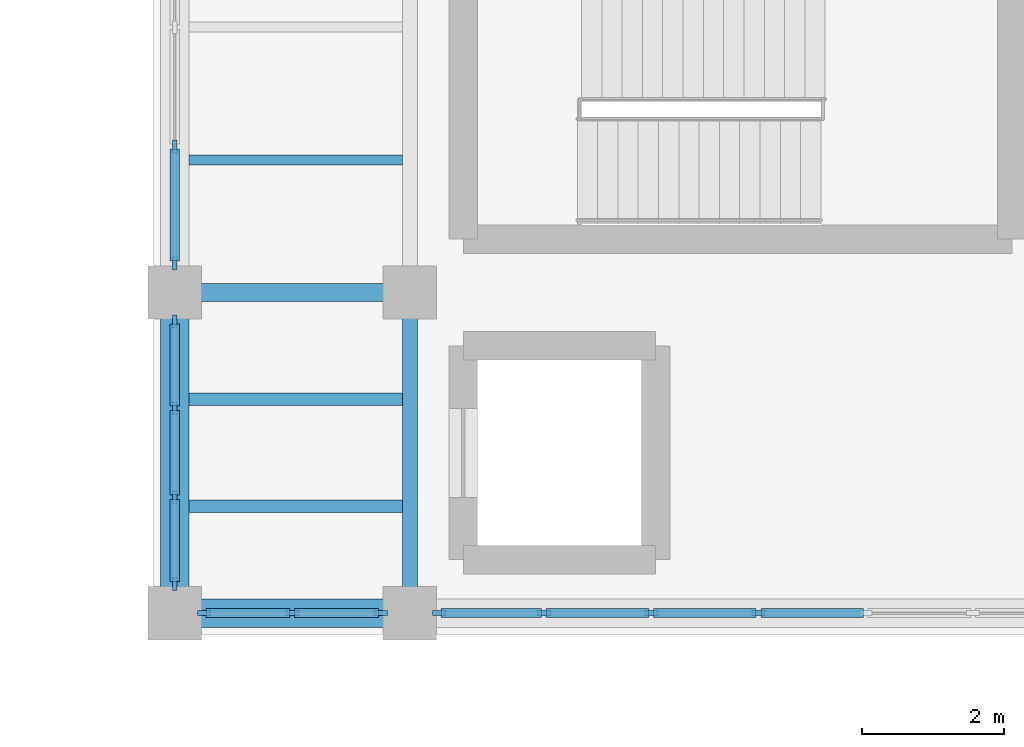
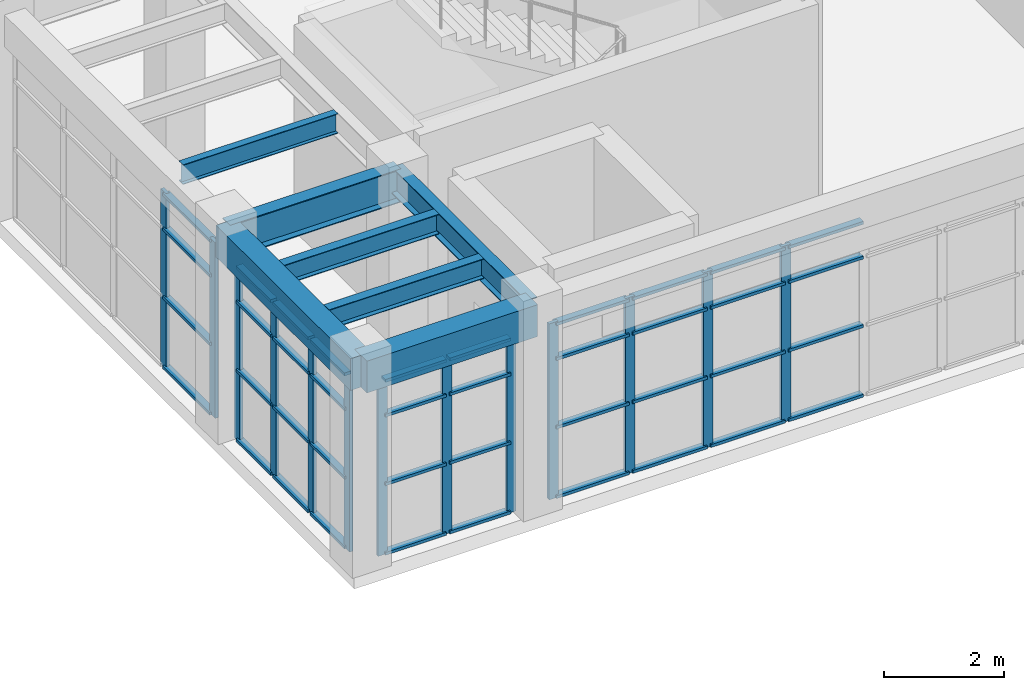
# One storey, part 33 of 85: 53 members, 7 beams, 4 elements without a shape of their own.
"""IFC4 building model written with IfcOpenShell, lengths in metres."""

from ifc_helpers import new_model, si_unit, direction, frame, origin, origin_2d, place, context, subcontext, project, spatial, rectangle, i_section, extrude, material, layer, layer_set, material_profile, profile_set, type_object, element, aggregate, save


model = new_model("IFC4")

# Units and contexts
model_context = context("Model", 3, precision=1e-05, world=origin(), true_north=direction((0.0, 1.0)))
body_context = subcontext(model_context, "Body", "Model", "MODEL_VIEW")
ifc_project = project(units=[si_unit("LENGTHUNIT", "METRE"), si_unit("AREAUNIT", "SQUARE_METRE"), si_unit("VOLUMEUNIT", "CUBIC_METRE"), si_unit("PLANEANGLEUNIT", "RADIAN"), si_unit("MASSUNIT", "GRAM", prefix="KILO")], contexts=[model_context])

# Site, building, storey
site_placement = place(None, origin())
site = spatial("IfcSite", under=ifc_project, at=site_placement, CompositionType="ELEMENT")
building_placement = place(site_placement, origin())
building = spatial("IfcBuilding", under=site, at=building_placement, Name="Candilejo Ridge Gondola Terminal", CompositionType="ELEMENT")
storey_placement = place(building_placement, frame((0.0, 0.0, 4.5)))
storey = spatial("IfcBuildingStorey", under=building, at=storey_placement, Name="L01", CompositionType="ELEMENT", Elevation=4.5)

# Curtain wall, members
ifc_material_1 = material(Name="Anodised aluminium AA 6063-T6", Category="aluminium")
ifc_layer_1 = layer(ifc_material_1, 0.169921875)
ifc_layer_set_1 = layer_set([ifc_layer_1], Name="ARC-CW-HALL-3800-375X359")
curtain_wall_type_1 = type_object("IfcCurtainWallType", Name="ARC-CW-HALL-3800-375X359", PredefinedType="NOTDEFINED", material=ifc_layer_set_1)
curtain_wall_1_placement = place(storey_placement, origin())
curtain_wall_1 = element("IfcCurtainWall", 1, at=curtain_wall_1_placement, inside=storey, type_object=curtain_wall_type_1, Name="Curtain wall V4 L01-110", PredefinedType="NOTDEFINED")
ifc_material_2 = material(Name="Anodised aluminium AA 6063-T6", Category="aluminium")
ifc_material_profile_1 = material_profile(ifc_material_2, rectangle(XDim=0.06494140625, YDim=0.179931640625, at=origin_2d()))
ifc_profile_set_1 = profile_set([ifc_material_profile_1], Name="Anodised aluminium AA 6063-T6")
member_type_1 = type_object("IfcMemberType", Name="ARC-CW-MULLION-180", PredefinedType="MULLION", material=ifc_profile_set_1)
member_1_placement = place(storey_placement, frame((133.89990234375, 6.70751953125, 0.0), z_axis=(0.0, 0.0, 1.0), x_axis=(-1.0, 0.0, 0.0)))
member_1 = element("IfcMember", 2, at=member_1_placement, type_object=member_type_1, Name="CW-37X35 mullion 1", PredefinedType="MULLION", context=body_context, shape_type="SweptSolid", body=[
    extrude(rectangle(XDim=0.06494140625, YDim=0.179931640625, at=origin_2d()), origin(), (0.0, 0.0, 1.0), 3.590087890625),
])
member_2_placement = place(storey_placement, frame((133.89990234375, 7.925048828125, 0.0), z_axis=(0.0, 0.0, 1.0), x_axis=(-1.0, 0.0, 0.0)))
member_2 = element("IfcMember", 3, at=member_2_placement, type_object=member_type_1, Name="CW-37X35 mullion 2", PredefinedType="MULLION", context=body_context, shape_type="SweptSolid", body=[
    extrude(rectangle(XDim=0.06494140625, YDim=0.179931640625, at=origin_2d()), origin(), (0.0, 0.0, 1.0), 3.590087890625),
])
member_3_placement = place(storey_placement, frame((133.89990234375, 9.175048828125, 0.0), z_axis=(0.0, 0.0, 1.0), x_axis=(-1.0, 0.0, 0.0)))
member_3 = element("IfcMember", 4, at=member_3_placement, type_object=member_type_1, Name="CW-37X35 mullion 3", PredefinedType="MULLION", context=body_context, shape_type="SweptSolid", body=[
    extrude(rectangle(XDim=0.06494140625, YDim=0.179931640625, at=origin_2d()), origin(), (0.0, 0.0, 1.0), 3.590087890625),
])
member_4_placement = place(storey_placement, frame((133.89990234375, 10.392578125, 0.0), z_axis=(0.0, 0.0, 1.0), x_axis=(-1.0, 0.0, 0.0)))
member_4 = element("IfcMember", 5, at=member_4_placement, type_object=member_type_1, Name="CW-37X35 mullion 4", PredefinedType="MULLION", context=body_context, shape_type="SweptSolid", body=[
    extrude(rectangle(XDim=0.06494140625, YDim=0.179931640625, at=origin_2d()), origin(), (0.0, 0.0, 1.0), 3.590087890625),
])

ifc_material_3 = material(Name="Anodised aluminium AA 6063-T6", Category="aluminium")
ifc_layer_2 = layer(ifc_material_3, 0.169921875)
ifc_layer_set_2 = layer_set([ifc_layer_2], Name="ARC-CW-HALL-3800-670X359")
curtain_wall_type_2 = type_object("IfcCurtainWallType", Name="ARC-CW-HALL-3800-670X359", PredefinedType="NOTDEFINED", material=ifc_layer_set_2)
curtain_wall_2_placement = place(storey_placement, origin())
curtain_wall_2 = element("IfcCurtainWall", 6, at=curtain_wall_2_placement, inside=storey, type_object=curtain_wall_type_2, Name="Curtain wall V4 L01-112", PredefinedType="NOTDEFINED")
member_5_placement = place(storey_placement, frame((133.89990234375, 11.20751953125, 0.0), z_axis=(0.0, 0.0, 1.0), x_axis=(-1.0, 0.0, 0.0)))
member_5 = element("IfcMember", 7, at=member_5_placement, type_object=member_type_1, Name="CW-67X35 mullion 1", PredefinedType="MULLION", context=body_context, shape_type="SweptSolid", body=[
    extrude(rectangle(XDim=0.06494140625, YDim=0.179931640625, at=origin_2d()), origin(), (0.0, 0.0, 1.0), 3.590087890625),
])
member_6_placement = place(storey_placement, frame((133.89990234375, 12.85009765625, 0.0), z_axis=(0.0, 0.0, 1.0), x_axis=(-1.0, 0.0, 0.0)))
member_6 = element("IfcMember", 8, at=member_6_placement, type_object=member_type_1, Name="CW-67X35 mullion 2", PredefinedType="MULLION", context=body_context, shape_type="SweptSolid", body=[
    extrude(rectangle(XDim=0.06494140625, YDim=0.179931640625, at=origin_2d()), origin(), (0.0, 0.0, 1.0), 3.590087890625),
])

ifc_material_4 = material(Name="Anodised aluminium AA 6063-T6", Category="aluminium")
ifc_layer_3 = layer(ifc_material_4, 0.169921875)
ifc_layer_set_3 = layer_set([ifc_layer_3], Name="ARC-CW-HALL-3800-255X359")
curtain_wall_type_3 = type_object("IfcCurtainWallType", Name="ARC-CW-HALL-3800-255X359", PredefinedType="NOTDEFINED", material=ifc_layer_set_3)
curtain_wall_3_placement = place(storey_placement, origin())
curtain_wall_3 = element("IfcCurtainWall", 9, at=curtain_wall_3_placement, inside=storey, type_object=curtain_wall_type_3, Name="Curtain wall V4 L01-122", PredefinedType="NOTDEFINED")
member_7_placement = place(storey_placement, frame((134.3076171875, 6.300048828125, 0.0), z_axis=(0.0, 0.0, 1.0), x_axis=(0.0, 1.0, 0.0)))
member_7 = element("IfcMember", 10, at=member_7_placement, type_object=member_type_1, Name="CW-25X35 mullion 1", PredefinedType="MULLION", context=body_context, shape_type="SweptSolid", body=[
    extrude(rectangle(XDim=0.06494140625, YDim=0.179931640625, at=origin_2d()), origin(), (0.0, 0.0, 1.0), 3.590087890625),
])
member_8_placement = place(storey_placement, frame((135.550048828125, 6.300048828125, 0.0), z_axis=(0.0, 0.0, 1.0), x_axis=(0.0, 1.0, 0.0)))
member_8 = element("IfcMember", 11, at=member_8_placement, type_object=member_type_1, Name="CW-25X35 mullion 2", PredefinedType="MULLION", context=body_context, shape_type="SweptSolid", body=[
    extrude(rectangle(XDim=0.06494140625, YDim=0.179931640625, at=origin_2d()), origin(), (0.0, 0.0, 1.0), 3.590087890625),
])
member_9_placement = place(storey_placement, frame((136.79248046875, 6.300048828125, 0.0), z_axis=(0.0, 0.0, 1.0), x_axis=(0.0, 1.0, 0.0)))
member_9 = element("IfcMember", 12, at=member_9_placement, type_object=member_type_1, Name="CW-25X35 mullion 3", PredefinedType="MULLION", context=body_context, shape_type="SweptSolid", body=[
    extrude(rectangle(XDim=0.06494140625, YDim=0.179931640625, at=origin_2d()), origin(), (0.0, 0.0, 1.0), 3.590087890625),
])

ifc_material_5 = material(Name="Anodised aluminium AA 6063-T6", Category="aluminium")
ifc_layer_4 = layer(ifc_material_5, 0.169921875)
ifc_layer_set_4 = layer_set([ifc_layer_4], Name="ARC-CW-HALL-3800-1205X359")
curtain_wall_type_4 = type_object("IfcCurtainWallType", Name="ARC-CW-HALL-3800-1205X359", PredefinedType="NOTDEFINED", material=ifc_layer_set_4)
curtain_wall_4_placement = place(storey_placement, origin())
curtain_wall_4 = element("IfcCurtainWall", 13, at=curtain_wall_4_placement, inside=storey, type_object=curtain_wall_type_4, Name="Curtain wall V4 L01-124", PredefinedType="NOTDEFINED")
member_10_placement = place(storey_placement, frame((137.607421875, 6.300048828125, 0.0), z_axis=(0.0, 0.0, 1.0), x_axis=(0.0, 1.0, 0.0)))
member_10 = element("IfcMember", 14, at=member_10_placement, type_object=member_type_1, Name="CW-120X35 mullion 1", PredefinedType="MULLION", context=body_context, shape_type="SweptSolid", body=[
    extrude(rectangle(XDim=0.06494140625, YDim=0.179931640625, at=origin_2d()), origin(), (0.0, 0.0, 1.0), 3.590087890625),
])
member_11_placement = place(storey_placement, frame((139.081298828125, 6.300048828125, 0.0), z_axis=(0.0, 0.0, 1.0), x_axis=(0.0, 1.0, 0.0)))
member_11 = element("IfcMember", 15, at=member_11_placement, type_object=member_type_1, Name="CW-120X35 mullion 2", PredefinedType="MULLION", context=body_context, shape_type="SweptSolid", body=[
    extrude(rectangle(XDim=0.06494140625, YDim=0.179931640625, at=origin_2d()), origin(), (0.0, 0.0, 1.0), 3.590087890625),
])
member_12_placement = place(storey_placement, frame((140.58740234375, 6.300048828125, 0.0), z_axis=(0.0, 0.0, 1.0), x_axis=(0.0, 1.0, 0.0)))
member_12 = element("IfcMember", 16, at=member_12_placement, type_object=member_type_1, Name="CW-120X35 mullion 3", PredefinedType="MULLION", context=body_context, shape_type="SweptSolid", body=[
    extrude(rectangle(XDim=0.06494140625, YDim=0.179931640625, at=origin_2d()), origin(), (0.0, 0.0, 1.0), 3.590087890625),
])
member_13_placement = place(storey_placement, frame((142.09375, 6.300048828125, 0.0), z_axis=(0.0, 0.0, 1.0), x_axis=(0.0, 1.0, 0.0)))
member_13 = element("IfcMember", 17, at=member_13_placement, type_object=member_type_1, Name="CW-120X35 mullion 4", PredefinedType="MULLION", context=body_context, shape_type="SweptSolid", body=[
    extrude(rectangle(XDim=0.06494140625, YDim=0.179931640625, at=origin_2d()), origin(), (0.0, 0.0, 1.0), 3.590087890625),
])

# Member
ifc_material_6 = material(Name="Anodised aluminium AA 6063-T6", Category="aluminium")
ifc_material_profile_2 = material_profile(ifc_material_6, rectangle(XDim=0.1298828125, YDim=0.06005859375, at=origin_2d()))
ifc_profile_set_2 = profile_set([ifc_material_profile_2], Name="Anodised aluminium AA 6063-T6")
member_type_2 = type_object("IfcMemberType", Name="ARC-CW-TRANSOM-130", PredefinedType="USERDEFINED", material=ifc_profile_set_2)
member_14_placement = place(storey_placement, frame((133.89990234375, 6.739990234375, 0.030029296875), z_axis=(0.0, 1.0, 0.0), x_axis=(-1.0, 0.0, 0.0)))
member_14 = element("IfcMember", 18, at=member_14_placement, type_object=member_type_2, Name="CW-37X35 transom 1.1", ObjectType="TRANSOM", PredefinedType="USERDEFINED", context=body_context, shape_type="SweptSolid", body=[
    extrude(rectangle(XDim=0.1298828125, YDim=0.06005859375, at=origin_2d()), origin(), (0.0, 0.0, 1.0), 1.152587890625),
])

member_15_placement = place(storey_placement, frame((133.89990234375, 6.739990234375, 1.449951171875), z_axis=(0.0, 1.0, 0.0), x_axis=(-1.0, 0.0, 0.0)))
member_15 = element("IfcMember", 19, at=member_15_placement, type_object=member_type_2, Name="CW-37X35 transom 1.2", ObjectType="TRANSOM", PredefinedType="USERDEFINED", context=body_context, shape_type="SweptSolid", body=[
    extrude(rectangle(XDim=0.1298828125, YDim=0.06005859375, at=origin_2d()), origin(), (0.0, 0.0, 1.0), 1.152587890625),
])

member_16_placement = place(storey_placement, frame((133.89990234375, 6.739990234375, 2.85009765625), z_axis=(0.0, 1.0, 0.0), x_axis=(-1.0, 0.0, 0.0)))
member_16 = element("IfcMember", 20, at=member_16_placement, type_object=member_type_2, Name="CW-37X35 transom 1.3", ObjectType="TRANSOM", PredefinedType="USERDEFINED", context=body_context, shape_type="SweptSolid", body=[
    extrude(rectangle(XDim=0.1298828125, YDim=0.06005859375, at=origin_2d()), origin(), (0.0, 0.0, 1.0), 1.152587890625),
])

member_17_placement = place(storey_placement, frame((133.89990234375, 6.739990234375, 3.56005859375), z_axis=(0.0, 1.0, 0.0), x_axis=(-1.0, 0.0, 0.0)))
member_17 = element("IfcMember", 21, at=member_17_placement, type_object=member_type_2, Name="CW-37X35 transom 1.4", ObjectType="TRANSOM", PredefinedType="USERDEFINED", context=body_context, shape_type="SweptSolid", body=[
    extrude(rectangle(XDim=0.1298828125, YDim=0.06005859375, at=origin_2d()), origin(), (0.0, 0.0, 1.0), 1.152587890625),
])

member_18_placement = place(storey_placement, frame((133.89990234375, 7.95751953125, 0.030029296875), z_axis=(0.0, 1.0, 0.0), x_axis=(-1.0, 0.0, 0.0)))
member_18 = element("IfcMember", 22, at=member_18_placement, type_object=member_type_2, Name="CW-37X35 transom 2.1", ObjectType="TRANSOM", PredefinedType="USERDEFINED", context=body_context, shape_type="SweptSolid", body=[
    extrude(rectangle(XDim=0.1298828125, YDim=0.06005859375, at=origin_2d()), origin(), (0.0, 0.0, 1.0), 1.18505859375),
])

member_19_placement = place(storey_placement, frame((133.89990234375, 7.95751953125, 1.449951171875), z_axis=(0.0, 1.0, 0.0), x_axis=(-1.0, 0.0, 0.0)))
member_19 = element("IfcMember", 23, at=member_19_placement, type_object=member_type_2, Name="CW-37X35 transom 2.2", ObjectType="TRANSOM", PredefinedType="USERDEFINED", context=body_context, shape_type="SweptSolid", body=[
    extrude(rectangle(XDim=0.1298828125, YDim=0.06005859375, at=origin_2d()), origin(), (0.0, 0.0, 1.0), 1.18505859375),
])

member_20_placement = place(storey_placement, frame((133.89990234375, 7.95751953125, 2.85009765625), z_axis=(0.0, 1.0, 0.0), x_axis=(-1.0, 0.0, 0.0)))
member_20 = element("IfcMember", 24, at=member_20_placement, type_object=member_type_2, Name="CW-37X35 transom 2.3", ObjectType="TRANSOM", PredefinedType="USERDEFINED", context=body_context, shape_type="SweptSolid", body=[
    extrude(rectangle(XDim=0.1298828125, YDim=0.06005859375, at=origin_2d()), origin(), (0.0, 0.0, 1.0), 1.18505859375),
])

member_21_placement = place(storey_placement, frame((133.89990234375, 7.95751953125, 3.56005859375), z_axis=(0.0, 1.0, 0.0), x_axis=(-1.0, 0.0, 0.0)))
member_21 = element("IfcMember", 25, at=member_21_placement, type_object=member_type_2, Name="CW-37X35 transom 2.4", ObjectType="TRANSOM", PredefinedType="USERDEFINED", context=body_context, shape_type="SweptSolid", body=[
    extrude(rectangle(XDim=0.1298828125, YDim=0.06005859375, at=origin_2d()), origin(), (0.0, 0.0, 1.0), 1.18505859375),
])

member_22_placement = place(storey_placement, frame((133.89990234375, 9.20751953125, 0.030029296875), z_axis=(0.0, 1.0, 0.0), x_axis=(-1.0, 0.0, 0.0)))
member_22 = element("IfcMember", 26, at=member_22_placement, type_object=member_type_2, Name="CW-37X35 transom 3.1", ObjectType="TRANSOM", PredefinedType="USERDEFINED", context=body_context, shape_type="SweptSolid", body=[
    extrude(rectangle(XDim=0.1298828125, YDim=0.06005859375, at=origin_2d()), origin(), (0.0, 0.0, 1.0), 1.152587890625),
])

member_23_placement = place(storey_placement, frame((133.89990234375, 9.20751953125, 1.449951171875), z_axis=(0.0, 1.0, 0.0), x_axis=(-1.0, 0.0, 0.0)))
member_23 = element("IfcMember", 27, at=member_23_placement, type_object=member_type_2, Name="CW-37X35 transom 3.2", ObjectType="TRANSOM", PredefinedType="USERDEFINED", context=body_context, shape_type="SweptSolid", body=[
    extrude(rectangle(XDim=0.1298828125, YDim=0.06005859375, at=origin_2d()), origin(), (0.0, 0.0, 1.0), 1.152587890625),
])

member_24_placement = place(storey_placement, frame((133.89990234375, 9.20751953125, 2.85009765625), z_axis=(0.0, 1.0, 0.0), x_axis=(-1.0, 0.0, 0.0)))
member_24 = element("IfcMember", 28, at=member_24_placement, type_object=member_type_2, Name="CW-37X35 transom 3.3", ObjectType="TRANSOM", PredefinedType="USERDEFINED", context=body_context, shape_type="SweptSolid", body=[
    extrude(rectangle(XDim=0.1298828125, YDim=0.06005859375, at=origin_2d()), origin(), (0.0, 0.0, 1.0), 1.152587890625),
])

member_25_placement = place(storey_placement, frame((133.89990234375, 9.20751953125, 3.56005859375), z_axis=(0.0, 1.0, 0.0), x_axis=(-1.0, 0.0, 0.0)))
member_25 = element("IfcMember", 29, at=member_25_placement, type_object=member_type_2, Name="CW-37X35 transom 3.4", ObjectType="TRANSOM", PredefinedType="USERDEFINED", context=body_context, shape_type="SweptSolid", body=[
    extrude(rectangle(XDim=0.1298828125, YDim=0.06005859375, at=origin_2d()), origin(), (0.0, 0.0, 1.0), 1.152587890625),
])

aggregate(curtain_wall_1, [member_1, member_2, member_3, member_4, member_14, member_15, member_16, member_17, member_18, member_19, member_20, member_21, member_22, member_23, member_24, member_25])

member_26_placement = place(storey_placement, frame((133.89990234375, 11.239990234375, 0.030029296875), z_axis=(0.0, 1.0, 0.0), x_axis=(-1.0, 0.0, 0.0)))
member_26 = element("IfcMember", 30, at=member_26_placement, type_object=member_type_2, Name="CW-67X35 transom 1.1", ObjectType="TRANSOM", PredefinedType="USERDEFINED", context=body_context, shape_type="SweptSolid", body=[
    extrude(rectangle(XDim=0.1298828125, YDim=0.06005859375, at=origin_2d()), origin(), (0.0, 0.0, 1.0), 1.577392578125),
])

member_27_placement = place(storey_placement, frame((133.89990234375, 11.239990234375, 1.449951171875), z_axis=(0.0, 1.0, 0.0), x_axis=(-1.0, 0.0, 0.0)))
member_27 = element("IfcMember", 31, at=member_27_placement, type_object=member_type_2, Name="CW-67X35 transom 1.2", ObjectType="TRANSOM", PredefinedType="USERDEFINED", context=body_context, shape_type="SweptSolid", body=[
    extrude(rectangle(XDim=0.1298828125, YDim=0.06005859375, at=origin_2d()), origin(), (0.0, 0.0, 1.0), 1.577392578125),
])

member_28_placement = place(storey_placement, frame((133.89990234375, 11.239990234375, 2.85009765625), z_axis=(0.0, 1.0, 0.0), x_axis=(-1.0, 0.0, 0.0)))
member_28 = element("IfcMember", 32, at=member_28_placement, type_object=member_type_2, Name="CW-67X35 transom 1.3", ObjectType="TRANSOM", PredefinedType="USERDEFINED", context=body_context, shape_type="SweptSolid", body=[
    extrude(rectangle(XDim=0.1298828125, YDim=0.06005859375, at=origin_2d()), origin(), (0.0, 0.0, 1.0), 1.577392578125),
])

member_29_placement = place(storey_placement, frame((133.89990234375, 11.239990234375, 3.56005859375), z_axis=(0.0, 1.0, 0.0), x_axis=(-1.0, 0.0, 0.0)))
member_29 = element("IfcMember", 33, at=member_29_placement, type_object=member_type_2, Name="CW-67X35 transom 1.4", ObjectType="TRANSOM", PredefinedType="USERDEFINED", context=body_context, shape_type="SweptSolid", body=[
    extrude(rectangle(XDim=0.1298828125, YDim=0.06005859375, at=origin_2d()), origin(), (0.0, 0.0, 1.0), 1.577392578125),
])

aggregate(curtain_wall_2, [member_5, member_6, member_26, member_27, member_28, member_29])

member_30_placement = place(storey_placement, frame((134.340087890625, 6.300048828125, 0.030029296875), z_axis=(1.0, 0.0, 0.0), x_axis=(0.0, 1.0, 0.0)))
member_30 = element("IfcMember", 34, at=member_30_placement, type_object=member_type_2, Name="CW-25X35 transom 1.1", ObjectType="TRANSOM", PredefinedType="USERDEFINED", context=body_context, shape_type="SweptSolid", body=[
    extrude(rectangle(XDim=0.1298828125, YDim=0.06005859375, at=origin_2d()), origin(), (0.0, 0.0, 1.0), 1.177490234375),
])

member_31_placement = place(storey_placement, frame((134.340087890625, 6.300048828125, 1.449951171875), z_axis=(1.0, 0.0, 0.0), x_axis=(0.0, 1.0, 0.0)))
member_31 = element("IfcMember", 35, at=member_31_placement, type_object=member_type_2, Name="CW-25X35 transom 1.2", ObjectType="TRANSOM", PredefinedType="USERDEFINED", context=body_context, shape_type="SweptSolid", body=[
    extrude(rectangle(XDim=0.1298828125, YDim=0.06005859375, at=origin_2d()), origin(), (0.0, 0.0, 1.0), 1.177490234375),
])

member_32_placement = place(storey_placement, frame((134.340087890625, 6.300048828125, 2.85009765625), z_axis=(1.0, 0.0, 0.0), x_axis=(0.0, 1.0, 0.0)))
member_32 = element("IfcMember", 36, at=member_32_placement, type_object=member_type_2, Name="CW-25X35 transom 1.3", ObjectType="TRANSOM", PredefinedType="USERDEFINED", context=body_context, shape_type="SweptSolid", body=[
    extrude(rectangle(XDim=0.1298828125, YDim=0.06005859375, at=origin_2d()), origin(), (0.0, 0.0, 1.0), 1.177490234375),
])

member_33_placement = place(storey_placement, frame((134.340087890625, 6.300048828125, 3.56005859375), z_axis=(1.0, 0.0, 0.0), x_axis=(0.0, 1.0, 0.0)))
member_33 = element("IfcMember", 37, at=member_33_placement, type_object=member_type_2, Name="CW-25X35 transom 1.4", ObjectType="TRANSOM", PredefinedType="USERDEFINED", context=body_context, shape_type="SweptSolid", body=[
    extrude(rectangle(XDim=0.1298828125, YDim=0.06005859375, at=origin_2d()), origin(), (0.0, 0.0, 1.0), 1.177490234375),
])

member_34_placement = place(storey_placement, frame((135.58251953125, 6.300048828125, 0.030029296875), z_axis=(1.0, 0.0, 0.0), x_axis=(0.0, 1.0, 0.0)))
member_34 = element("IfcMember", 38, at=member_34_placement, type_object=member_type_2, Name="CW-25X35 transom 2.1", ObjectType="TRANSOM", PredefinedType="USERDEFINED", context=body_context, shape_type="SweptSolid", body=[
    extrude(rectangle(XDim=0.1298828125, YDim=0.06005859375, at=origin_2d()), origin(), (0.0, 0.0, 1.0), 1.177490234375),
])

member_35_placement = place(storey_placement, frame((135.58251953125, 6.300048828125, 1.449951171875), z_axis=(1.0, 0.0, 0.0), x_axis=(0.0, 1.0, 0.0)))
member_35 = element("IfcMember", 39, at=member_35_placement, type_object=member_type_2, Name="CW-25X35 transom 2.2", ObjectType="TRANSOM", PredefinedType="USERDEFINED", context=body_context, shape_type="SweptSolid", body=[
    extrude(rectangle(XDim=0.1298828125, YDim=0.06005859375, at=origin_2d()), origin(), (0.0, 0.0, 1.0), 1.177490234375),
])

member_36_placement = place(storey_placement, frame((135.58251953125, 6.300048828125, 2.85009765625), z_axis=(1.0, 0.0, 0.0), x_axis=(0.0, 1.0, 0.0)))
member_36 = element("IfcMember", 40, at=member_36_placement, type_object=member_type_2, Name="CW-25X35 transom 2.3", ObjectType="TRANSOM", PredefinedType="USERDEFINED", context=body_context, shape_type="SweptSolid", body=[
    extrude(rectangle(XDim=0.1298828125, YDim=0.06005859375, at=origin_2d()), origin(), (0.0, 0.0, 1.0), 1.177490234375),
])

member_37_placement = place(storey_placement, frame((135.58251953125, 6.300048828125, 3.56005859375), z_axis=(1.0, 0.0, 0.0), x_axis=(0.0, 1.0, 0.0)))
member_37 = element("IfcMember", 41, at=member_37_placement, type_object=member_type_2, Name="CW-25X35 transom 2.4", ObjectType="TRANSOM", PredefinedType="USERDEFINED", context=body_context, shape_type="SweptSolid", body=[
    extrude(rectangle(XDim=0.1298828125, YDim=0.06005859375, at=origin_2d()), origin(), (0.0, 0.0, 1.0), 1.177490234375),
])

aggregate(curtain_wall_3, [member_7, member_8, member_9, member_30, member_31, member_32, member_33, member_34, member_35, member_36, member_37])

member_38_placement = place(storey_placement, frame((137.639892578125, 6.300048828125, 0.030029296875), z_axis=(1.0, 0.0, 0.0), x_axis=(0.0, 1.0, 0.0)))
member_38 = element("IfcMember", 42, at=member_38_placement, type_object=member_type_2, Name="CW-120X35 transom 1.1", ObjectType="TRANSOM", PredefinedType="USERDEFINED", context=body_context, shape_type="SweptSolid", body=[
    extrude(rectangle(XDim=0.1298828125, YDim=0.06005859375, at=origin_2d()), origin(), (0.0, 0.0, 1.0), 1.408935546875),
])

member_39_placement = place(storey_placement, frame((137.639892578125, 6.300048828125, 1.449951171875), z_axis=(1.0, 0.0, 0.0), x_axis=(0.0, 1.0, 0.0)))
member_39 = element("IfcMember", 43, at=member_39_placement, type_object=member_type_2, Name="CW-120X35 transom 1.2", ObjectType="TRANSOM", PredefinedType="USERDEFINED", context=body_context, shape_type="SweptSolid", body=[
    extrude(rectangle(XDim=0.1298828125, YDim=0.06005859375, at=origin_2d()), origin(), (0.0, 0.0, 1.0), 1.408935546875),
])

member_40_placement = place(storey_placement, frame((137.639892578125, 6.300048828125, 2.85009765625), z_axis=(1.0, 0.0, 0.0), x_axis=(0.0, 1.0, 0.0)))
member_40 = element("IfcMember", 44, at=member_40_placement, type_object=member_type_2, Name="CW-120X35 transom 1.3", ObjectType="TRANSOM", PredefinedType="USERDEFINED", context=body_context, shape_type="SweptSolid", body=[
    extrude(rectangle(XDim=0.1298828125, YDim=0.06005859375, at=origin_2d()), origin(), (0.0, 0.0, 1.0), 1.408935546875),
])

member_41_placement = place(storey_placement, frame((137.639892578125, 6.300048828125, 3.56005859375), z_axis=(1.0, 0.0, 0.0), x_axis=(0.0, 1.0, 0.0)))
member_41 = element("IfcMember", 45, at=member_41_placement, type_object=member_type_2, Name="CW-120X35 transom 1.4", ObjectType="TRANSOM", PredefinedType="USERDEFINED", context=body_context, shape_type="SweptSolid", body=[
    extrude(rectangle(XDim=0.1298828125, YDim=0.06005859375, at=origin_2d()), origin(), (0.0, 0.0, 1.0), 1.408935546875),
])

member_42_placement = place(storey_placement, frame((139.11376953125, 6.300048828125, 0.030029296875), z_axis=(1.0, 0.0, 0.0), x_axis=(0.0, 1.0, 0.0)))
member_42 = element("IfcMember", 46, at=member_42_placement, type_object=member_type_2, Name="CW-120X35 transom 2.1", ObjectType="TRANSOM", PredefinedType="USERDEFINED", context=body_context, shape_type="SweptSolid", body=[
    extrude(rectangle(XDim=0.1298828125, YDim=0.06005859375, at=origin_2d()), origin(), (0.0, 0.0, 1.0), 1.441162109375),
])

member_43_placement = place(storey_placement, frame((139.11376953125, 6.300048828125, 1.449951171875), z_axis=(1.0, 0.0, 0.0), x_axis=(0.0, 1.0, 0.0)))
member_43 = element("IfcMember", 47, at=member_43_placement, type_object=member_type_2, Name="CW-120X35 transom 2.2", ObjectType="TRANSOM", PredefinedType="USERDEFINED", context=body_context, shape_type="SweptSolid", body=[
    extrude(rectangle(XDim=0.1298828125, YDim=0.06005859375, at=origin_2d()), origin(), (0.0, 0.0, 1.0), 1.441162109375),
])

member_44_placement = place(storey_placement, frame((139.11376953125, 6.300048828125, 2.85009765625), z_axis=(1.0, 0.0, 0.0), x_axis=(0.0, 1.0, 0.0)))
member_44 = element("IfcMember", 48, at=member_44_placement, type_object=member_type_2, Name="CW-120X35 transom 2.3", ObjectType="TRANSOM", PredefinedType="USERDEFINED", context=body_context, shape_type="SweptSolid", body=[
    extrude(rectangle(XDim=0.1298828125, YDim=0.06005859375, at=origin_2d()), origin(), (0.0, 0.0, 1.0), 1.441162109375),
])

member_45_placement = place(storey_placement, frame((139.11376953125, 6.300048828125, 3.56005859375), z_axis=(1.0, 0.0, 0.0), x_axis=(0.0, 1.0, 0.0)))
member_45 = element("IfcMember", 49, at=member_45_placement, type_object=member_type_2, Name="CW-120X35 transom 2.4", ObjectType="TRANSOM", PredefinedType="USERDEFINED", context=body_context, shape_type="SweptSolid", body=[
    extrude(rectangle(XDim=0.1298828125, YDim=0.06005859375, at=origin_2d()), origin(), (0.0, 0.0, 1.0), 1.441162109375),
])

member_46_placement = place(storey_placement, frame((140.6201171875, 6.300048828125, 0.030029296875), z_axis=(1.0, 0.0, 0.0), x_axis=(0.0, 1.0, 0.0)))
member_46 = element("IfcMember", 50, at=member_46_placement, type_object=member_type_2, Name="CW-120X35 transom 3.1", ObjectType="TRANSOM", PredefinedType="USERDEFINED", context=body_context, shape_type="SweptSolid", body=[
    extrude(rectangle(XDim=0.1298828125, YDim=0.06005859375, at=origin_2d()), origin(), (0.0, 0.0, 1.0), 1.441162109375),
])

member_47_placement = place(storey_placement, frame((140.6201171875, 6.300048828125, 1.449951171875), z_axis=(1.0, 0.0, 0.0), x_axis=(0.0, 1.0, 0.0)))
member_47 = element("IfcMember", 51, at=member_47_placement, type_object=member_type_2, Name="CW-120X35 transom 3.2", ObjectType="TRANSOM", PredefinedType="USERDEFINED", context=body_context, shape_type="SweptSolid", body=[
    extrude(rectangle(XDim=0.1298828125, YDim=0.06005859375, at=origin_2d()), origin(), (0.0, 0.0, 1.0), 1.441162109375),
])

member_48_placement = place(storey_placement, frame((140.6201171875, 6.300048828125, 2.85009765625), z_axis=(1.0, 0.0, 0.0), x_axis=(0.0, 1.0, 0.0)))
member_48 = element("IfcMember", 52, at=member_48_placement, type_object=member_type_2, Name="CW-120X35 transom 3.3", ObjectType="TRANSOM", PredefinedType="USERDEFINED", context=body_context, shape_type="SweptSolid", body=[
    extrude(rectangle(XDim=0.1298828125, YDim=0.06005859375, at=origin_2d()), origin(), (0.0, 0.0, 1.0), 1.441162109375),
])

member_49_placement = place(storey_placement, frame((140.6201171875, 6.300048828125, 3.56005859375), z_axis=(1.0, 0.0, 0.0), x_axis=(0.0, 1.0, 0.0)))
member_49 = element("IfcMember", 53, at=member_49_placement, type_object=member_type_2, Name="CW-120X35 transom 3.4", ObjectType="TRANSOM", PredefinedType="USERDEFINED", context=body_context, shape_type="SweptSolid", body=[
    extrude(rectangle(XDim=0.1298828125, YDim=0.06005859375, at=origin_2d()), origin(), (0.0, 0.0, 1.0), 1.441162109375),
])

member_50_placement = place(storey_placement, frame((142.126220703125, 6.300048828125, 0.030029296875), z_axis=(1.0, 0.0, 0.0), x_axis=(0.0, 1.0, 0.0)))
member_50 = element("IfcMember", 54, at=member_50_placement, type_object=member_type_2, Name="CW-120X35 transom 4.1", ObjectType="TRANSOM", PredefinedType="USERDEFINED", context=body_context, shape_type="SweptSolid", body=[
    extrude(rectangle(XDim=0.1298828125, YDim=0.06005859375, at=origin_2d()), origin(), (0.0, 0.0, 1.0), 1.441162109375),
])

member_51_placement = place(storey_placement, frame((142.126220703125, 6.300048828125, 1.449951171875), z_axis=(1.0, 0.0, 0.0), x_axis=(0.0, 1.0, 0.0)))
member_51 = element("IfcMember", 55, at=member_51_placement, type_object=member_type_2, Name="CW-120X35 transom 4.2", ObjectType="TRANSOM", PredefinedType="USERDEFINED", context=body_context, shape_type="SweptSolid", body=[
    extrude(rectangle(XDim=0.1298828125, YDim=0.06005859375, at=origin_2d()), origin(), (0.0, 0.0, 1.0), 1.441162109375),
])

member_52_placement = place(storey_placement, frame((142.126220703125, 6.300048828125, 2.85009765625), z_axis=(1.0, 0.0, 0.0), x_axis=(0.0, 1.0, 0.0)))
member_52 = element("IfcMember", 56, at=member_52_placement, type_object=member_type_2, Name="CW-120X35 transom 4.3", ObjectType="TRANSOM", PredefinedType="USERDEFINED", context=body_context, shape_type="SweptSolid", body=[
    extrude(rectangle(XDim=0.1298828125, YDim=0.06005859375, at=origin_2d()), origin(), (0.0, 0.0, 1.0), 1.441162109375),
])

member_53_placement = place(storey_placement, frame((142.126220703125, 6.300048828125, 3.56005859375), z_axis=(1.0, 0.0, 0.0), x_axis=(0.0, 1.0, 0.0)))
member_53 = element("IfcMember", 57, at=member_53_placement, type_object=member_type_2, Name="CW-120X35 transom 4.4", ObjectType="TRANSOM", PredefinedType="USERDEFINED", context=body_context, shape_type="SweptSolid", body=[
    extrude(rectangle(XDim=0.1298828125, YDim=0.06005859375, at=origin_2d()), origin(), (0.0, 0.0, 1.0), 1.441162109375),
])

aggregate(curtain_wall_4, [member_10, member_11, member_12, member_13, member_38, member_39, member_40, member_41, member_42, member_43, member_44, member_45, member_46, member_47, member_48, member_49, member_50, member_51, member_52, member_53])

# Beams
ifc_material_7 = material(Name="Steel ASTM A992 Grade 50", Category="steel")
ifc_material_profile_3 = material_profile(ifc_material_7, i_section(OverallWidth=0.2109375, OverallDepth=0.5390625, WebThickness=0.01171875, FlangeThickness=0.018798828125, at=origin_2d()))
ifc_profile_set_3 = profile_set([ifc_material_profile_3], Name="Steel ASTM A992 Grade 50")
beam_type_1 = type_object("IfcBeamType", Name="STR-BM-W530X109", PredefinedType="BEAM", material=ifc_profile_set_3)
beam_1_placement = place(storey_placement, frame((137.199951171875, 6.300048828125, 3.930419921875), z_axis=(0.0, 1.0, 0.0), x_axis=(-1.0, 0.0, 0.0)))
element("IfcBeam", 58, at=beam_1_placement, inside=storey, type_object=beam_type_1, Name="Beam Y V4 L01 Y01-Y02@X22", PredefinedType="BEAM", context=body_context, shape_type="SweptSolid", body=[
    extrude(i_section(OverallWidth=0.2109375, OverallDepth=0.5390625, WebThickness=0.01171875, FlangeThickness=0.018798828125, at=origin_2d()), origin(), (0.0, 0.0, 1.0), 4.5),
])
ifc_material_8 = material(Name="Steel ASTM A992 Grade 50", Category="steel")
ifc_material_profile_4 = material_profile(ifc_material_8, i_section(OverallWidth=0.25390625, OverallDepth=0.68408203125, WebThickness=0.012451171875, FlangeThickness=0.018798828125, at=origin_2d()))
ifc_profile_set_4 = profile_set([ifc_material_profile_4], Name="Steel ASTM A992 Grade 50")
beam_type_2 = type_object("IfcBeamType", Name="STR-BM-W690X140", PredefinedType="BEAM", material=ifc_profile_set_4)
beam_2_placement = place(storey_placement, frame((133.89990234375, 10.800048828125, 3.85791015625), z_axis=(1.0, 0.0, 0.0), x_axis=(0.0, 1.0, 0.0)))
element("IfcBeam", 59, at=beam_2_placement, inside=storey, type_object=beam_type_2, Name="Beam X V4 L01 X21-X22@Y02", PredefinedType="BEAM", context=body_context, shape_type="SweptSolid", body=[
    extrude(i_section(OverallWidth=0.25390625, OverallDepth=0.68408203125, WebThickness=0.012451171875, FlangeThickness=0.018798828125, at=origin_2d()), origin(), (0.0, 0.0, 1.0), 3.300048828125),
])
ifc_material_9 = material(Name="Steel ASTM A992 Grade 50", Category="steel")
ifc_material_profile_5 = material_profile(ifc_material_9, i_section(OverallWidth=0.139892578125, OverallDepth=0.403076171875, WebThickness=0.007080078125, FlangeThickness=0.01123046875, at=origin_2d()))
ifc_profile_set_5 = profile_set([ifc_material_profile_5], Name="Steel ASTM A992 Grade 50")
beam_type_3 = type_object("IfcBeamType", Name="STR-JST-W410X46", PredefinedType="JOIST", material=ifc_profile_set_5)
beam_3_placement = place(storey_placement, frame((134.10009765625, 12.66259765625, 3.99853515625), z_axis=(1.0, 0.0, 0.0), x_axis=(0.0, 1.0, 0.0)))
element("IfcBeam", 60, at=beam_3_placement, inside=storey, type_object=beam_type_3, Name="Composite joist V4 L01-0889", PredefinedType="JOIST", context=body_context, shape_type="SweptSolid", body=[
    extrude(i_section(OverallWidth=0.139892578125, OverallDepth=0.403076171875, WebThickness=0.007080078125, FlangeThickness=0.01123046875, at=origin_2d()), origin(), (0.0, 0.0, 1.0), 2.994384765625),
])
ifc_material_10 = material(Name="Steel ASTM A992 Grade 50", Category="steel")
ifc_material_profile_6 = material_profile(ifc_material_10, i_section(OverallWidth=0.177978515625, OverallDepth=0.406982421875, WebThickness=0.0078125, FlangeThickness=0.0126953125, at=origin_2d()))
ifc_profile_set_6 = profile_set([ifc_material_profile_6], Name="Steel ASTM A992 Grade 50")
beam_type_4 = type_object("IfcBeamType", Name="STR-JST-W410X60", PredefinedType="JOIST", material=ifc_profile_set_6)
for number, where, z_axis, x_axis, name in (
    (61, (134.10009765625, 7.800048828125, 3.99658203125), (1.0, 0.0, 0.0), (0.0, 1.0, 0.0), "Composite joist V4 L01-0887"),
    (62, (134.10009765625, 9.300048828125, 3.99658203125), (1.0, 0.0, 0.0), (0.0, 1.0, 0.0), "Composite joist V4 L01-0888"),
):
    element("IfcBeam", number, at=place(storey_placement, frame(where, z_axis=z_axis, x_axis=x_axis)), inside=storey, type_object=beam_type_4, Name=name, PredefinedType="JOIST", context=body_context, shape_type="SweptSolid", body=[
        extrude(i_section(OverallWidth=0.177978515625, OverallDepth=0.406982421875, WebThickness=0.0078125, FlangeThickness=0.0126953125, at=origin_2d()), origin(), (0.0, 0.0, 1.0), 2.994384765625),
    ])
ifc_material_11 = material(Name="Concrete f'c 35 MPa (C35/45)", Category="concrete")
ifc_material_profile_7 = material_profile(ifc_material_11, rectangle(XDim=0.39990234375, YDim=0.64990234375, at=origin_2d()))
ifc_profile_set_7 = profile_set([ifc_material_profile_7], Name="Concrete f'c 35 MPa (C35/45)")
beam_type_5 = type_object("IfcBeamType", Name="STR-SPN-RC400X650", PredefinedType="SPANDREL", material=ifc_profile_set_7)
beam_4_placement = place(storey_placement, frame((133.89990234375, 6.300048828125, 3.875), z_axis=(1.0, 0.0, 0.0), x_axis=(0.0, 1.0, 0.0)))
element("IfcBeam", 63, at=beam_4_placement, inside=storey, type_object=beam_type_5, Name="Beam X V4 L01 X21-X22@Y01", PredefinedType="SPANDREL", context=body_context, shape_type="SweptSolid", body=[
    extrude(rectangle(XDim=0.39990234375, YDim=0.64990234375, at=origin_2d()), origin(), (0.0, 0.0, 1.0), 3.300048828125),
])
beam_5_placement = place(storey_placement, frame((133.89990234375, 6.300048828125, 3.875), z_axis=(0.0, 1.0, 0.0), x_axis=(-1.0, 0.0, 0.0)))
element("IfcBeam", 64, at=beam_5_placement, inside=storey, type_object=beam_type_5, Name="Beam Y V4 L01 Y01-Y02@X21", PredefinedType="SPANDREL", context=body_context, shape_type="SweptSolid", body=[
    extrude(rectangle(XDim=0.39990234375, YDim=0.64990234375, at=origin_2d()), origin(), (0.0, 0.0, 1.0), 4.5),
])

save(model, "model.ifc")
